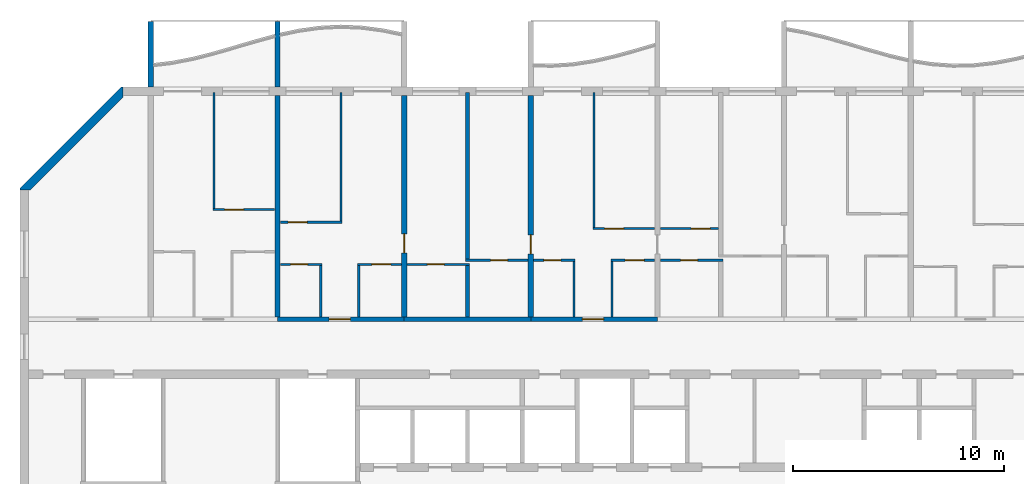
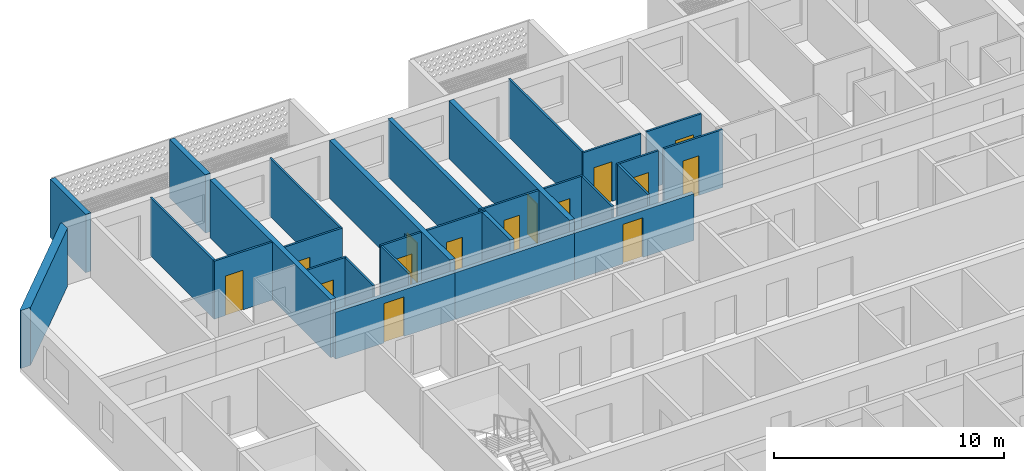
# One storey, part 8 of 28: 29 walls, 15 doors, 15 openings.
"""IFC4 building model written with IfcOpenShell, lengths in metres."""

from ifc_helpers import new_model, si_unit, direction, frame, frame_2d, origin, place, context, subcontext, project, spatial, polyline, rectangle, outline, extrude, source, transform, mapped, material, layer, layer_set, type_object, element, fill, save


model = new_model("IFC4")

# Units and contexts
model_context = context("Model", 3, precision=1e-05, world=origin(), true_north=direction((0.0, 1.0)))
body_context = subcontext(model_context, "Body", "Model", "MODEL_VIEW")
ifc_project = project(units=[si_unit("LENGTHUNIT", "METRE"), si_unit("AREAUNIT", "SQUARE_METRE"), si_unit("VOLUMEUNIT", "CUBIC_METRE"), si_unit("PLANEANGLEUNIT", "RADIAN"), si_unit("MASSUNIT", "GRAM", prefix="KILO")], contexts=[model_context])

# Site, building, storey
site_placement = place(None, origin())
site = spatial("IfcSite", under=ifc_project, at=site_placement, CompositionType="ELEMENT")
building_placement = place(site_placement, origin())
building = spatial("IfcBuilding", under=site, at=building_placement, Name="Poui Terraces", CompositionType="ELEMENT")
storey_placement = place(building_placement, frame((0.0, 0.0, 185.10009765625)))
storey = spatial("IfcBuildingStorey", under=building, at=storey_placement, Name="L51", CompositionType="ELEMENT", Elevation=185.10009765625)

# Wall, opening, door
ifc_material_1 = material(Name="Concrete 50 MPa", Category="concrete")
ifc_layer_1 = layer(ifc_material_1, 0.199951171875)
ifc_layer_set_1 = layer_set([ifc_layer_1], Name="Concrete 50 MPa")
wall_type_1 = type_object("IfcWallType", Name="CORRIDOR WALL 200 50MPa", PredefinedType="SHEAR", material=ifc_layer_set_1)
wall_1_placement = place(storey_placement, frame((30.0, 30.39990234375, 0.0), z_axis=(0.0, 0.0, 1.0), x_axis=(1.0, 0.0, 0.0)))
wall_1 = element("IfcWall", 1, at=wall_1_placement, inside=storey, type_object=wall_type_1, Name="CORRIDOR WALL LINE E BAY 3", PredefinedType="SHEAR", context=body_context, shape_type="SweptSolid", body=[
    extrude(rectangle(XDim=6.0, YDim=0.199951171875, at=frame_2d((3.0, 0.0))), origin(), (0.0, 0.0, 1.0), 2.47998046875),
])
opening_1_placement = place(wall_1_placement, frame((2.449951171875, 0.0, 0.0)))
opening_1 = element("IfcOpeningElement", 2, at=opening_1_placement, cuts=wall_1, Name="Opening FD30S", PredefinedType="OPENING", context=body_context, shape_type="SweptSolid", body=[
    extrude(rectangle(XDim=1.0, YDim=2.10009765625, at=frame_2d((0.5, 1.050048828125))), frame((0.0, 0.10986328125, 0.0), z_axis=(0.0, -1.0, 0.0), x_axis=(1.0, 0.0, 0.0)), (0.0, 0.0, 1.0), 0.219970703125),
])
ifc_material_2 = material(Name="Steel fire door", Category="steel")
door_type_1 = type_object("IfcDoorType", Name="FLAT ENTRANCE DOOR 1000 X 2100", OperationType="NOTDEFINED", PredefinedType="DOOR", material=ifc_material_2)
door_1_placement = place(opening_1_placement, origin())
door_1 = element("IfcDoor", 3, at=door_1_placement, inside=storey, type_object=door_type_1, Name="FLAT ENTRANCE DOOR 034", OperationType="SINGLE_SWING_LEFT", OverallHeight=2.10009765625, OverallWidth=1.0, PredefinedType="DOOR", context=body_context, shape_type="SweptSolid", body=[
    extrude(rectangle(XDim=1.0, YDim=2.10009765625, at=frame_2d((0.5, 1.050048828125))), frame((0.0, 0.02490234375, 0.0), z_axis=(0.0, -1.0, 0.0), x_axis=(1.0, 0.0, 0.0)), (0.0, 0.0, 1.0), 0.050048828125),
])
fill(opening_1, door_1)

# Wall
wall_2_placement = place(storey_placement, frame((36.0, 30.39990234375, 0.0), z_axis=(0.0, 0.0, 1.0), x_axis=(1.0, 0.0, 0.0)))
element("IfcWall", 4, at=wall_2_placement, inside=storey, type_object=wall_type_1, Name="CORRIDOR WALL LINE E BAY 4", PredefinedType="SHEAR", context=body_context, shape_type="SweptSolid", body=[
    extrude(rectangle(XDim=6.0, YDim=0.199951171875, at=frame_2d((3.0, 0.0))), origin(), (0.0, 0.0, 1.0), 2.47998046875),
])

# Wall, opening, door
wall_3_placement = place(storey_placement, frame((42.0, 30.39990234375, 0.0), z_axis=(0.0, 0.0, 1.0), x_axis=(1.0, 0.0, 0.0)))
wall_3 = element("IfcWall", 5, at=wall_3_placement, inside=storey, type_object=wall_type_1, Name="CORRIDOR WALL LINE E BAY 5", PredefinedType="SHEAR", context=body_context, shape_type="SweptSolid", body=[
    extrude(rectangle(XDim=6.0, YDim=0.199951171875, at=frame_2d((3.0, 0.0))), origin(), (0.0, 0.0, 1.0), 2.47998046875),
])
opening_2_placement = place(wall_3_placement, frame((2.449951171875, 0.0, 0.0)))
opening_2 = element("IfcOpeningElement", 6, at=opening_2_placement, cuts=wall_3, Name="Opening FD30S", PredefinedType="OPENING", context=body_context, shape_type="SweptSolid", body=[
    extrude(rectangle(XDim=1.0, YDim=2.10009765625, at=frame_2d((0.5, 1.050048828125))), frame((0.0, 0.10986328125, 0.0), z_axis=(0.0, -1.0, 0.0), x_axis=(1.0, 0.0, 0.0)), (0.0, 0.0, 1.0), 0.219970703125),
])
door_2_placement = place(opening_2_placement, origin())
door_2 = element("IfcDoor", 7, at=door_2_placement, inside=storey, type_object=door_type_1, Name="FLAT ENTRANCE DOOR 042", OperationType="SINGLE_SWING_LEFT", OverallHeight=2.10009765625, OverallWidth=1.0, PredefinedType="DOOR", context=body_context, shape_type="SweptSolid", body=[
    extrude(rectangle(XDim=1.0, YDim=2.10009765625, at=frame_2d((0.5, 1.050048828125))), frame((0.0, 0.02490234375, 0.0), z_axis=(0.0, -1.0, 0.0), x_axis=(1.0, 0.0, 0.0)), (0.0, 0.0, 1.0), 0.050048828125),
])
fill(opening_2, door_2)

# Wall
ifc_layer_2 = layer(ifc_material_1, 0.25)
ifc_layer_set_2 = layer_set([ifc_layer_2], Name="Concrete 50 MPa")
wall_type_2 = type_object("IfcWallType", Name="CROSS WALL 250 50MPa", PredefinedType="SHEAR", material=ifc_layer_set_2)
wall_4_placement = place(storey_placement, frame((30.0, 30.5, 0.0), z_axis=(0.0, 0.0, 1.0), x_axis=(0.0, 1.0, 0.0)))
element("IfcWall", 8, at=wall_4_placement, inside=storey, type_object=wall_type_2, Name="CROSS WALL LINE 6 NORTH", PredefinedType="SHEAR", context=body_context, shape_type="SweptSolid", body=[
    extrude(rectangle(XDim=10.5, YDim=0.25, at=frame_2d((5.25, 0.0))), origin(), (0.0, 0.0, 1.0), 3.079833984375),
])

# Wall, opening, door
wall_5_placement = place(storey_placement, frame((36.0, 30.5, 0.0), z_axis=(0.0, 0.0, 1.0), x_axis=(0.0, 1.0, 0.0)))
wall_5 = element("IfcWall", 9, at=wall_5_placement, inside=storey, type_object=wall_type_2, Name="CROSS WALL LINE 7 NORTH", PredefinedType="SHEAR", context=body_context, shape_type="SweptSolid", body=[
    extrude(rectangle(XDim=10.5, YDim=0.25, at=frame_2d((5.25, 0.0))), origin(), (0.0, 0.0, 1.0), 3.079833984375),
])
opening_3_placement = place(wall_5_placement, frame((3.050048828125, 0.0, 0.0)))
opening_3 = element("IfcOpeningElement", 10, at=opening_3_placement, cuts=wall_5, Name="Opening D90", PredefinedType="OPENING", context=body_context, shape_type="SweptSolid", body=[
    extrude(rectangle(XDim=0.89990234375, YDim=2.10009765625, at=frame_2d((0.449951171875, 1.050048828125))), frame((0.0, 0.135009765625, 0.0), z_axis=(0.0, -1.0, 0.0), x_axis=(1.0, 0.0, 0.0)), (0.0, 0.0, 1.0), 0.27001953125),
])
ifc_material_3 = material(Name="Solid core timber door", Category="wood")
door_type_2 = type_object("IfcDoorType", Name="INTERNAL DOOR 900 X 2100", OperationType="NOTDEFINED", PredefinedType="DOOR", material=ifc_material_3)
door_3_placement = place(opening_3_placement, frame((0.89990234375, 0.0, 0.0), z_axis=(0.0, 0.0, 1.0), x_axis=(-1.0, 0.0, 0.0)))
door_3 = element("IfcDoor", 11, at=door_3_placement, inside=storey, type_object=door_type_2, Name="INTERNAL DOOR 036", OperationType="SINGLE_SWING_RIGHT", OverallHeight=2.10009765625, OverallWidth=0.89990234375, PredefinedType="DOOR", context=body_context, shape_type="SweptSolid", body=[
    extrude(rectangle(XDim=0.89990234375, YDim=2.10009765625, at=frame_2d((0.449951171875, 1.050048828125))), frame((0.0, 0.02490234375, 0.0), z_axis=(0.0, -1.0, 0.0), x_axis=(1.0, 0.0, 0.0)), (0.0, 0.0, 1.0), 0.050048828125),
])
fill(opening_3, door_3)

wall_6_placement = place(storey_placement, frame((42.0, 30.5, 0.0), z_axis=(0.0, 0.0, 1.0), x_axis=(0.0, 1.0, 0.0)))
wall_6 = element("IfcWall", 12, at=wall_6_placement, inside=storey, type_object=wall_type_2, Name="CROSS WALL LINE 8 NORTH", PredefinedType="SHEAR", context=body_context, shape_type="SweptSolid", body=[
    extrude(rectangle(XDim=10.5, YDim=0.25, at=frame_2d((5.25, 0.0))), origin(), (0.0, 0.0, 1.0), 3.079833984375),
])
opening_4_placement = place(wall_6_placement, frame((3.0, 0.0, 0.0)))
opening_4 = element("IfcOpeningElement", 13, at=opening_4_placement, cuts=wall_6, Name="Opening D90", PredefinedType="OPENING", context=body_context, shape_type="SweptSolid", body=[
    extrude(rectangle(XDim=0.89990234375, YDim=2.10009765625, at=frame_2d((0.449951171875, 1.050048828125))), frame((0.0, 0.135009765625, 0.0), z_axis=(0.0, -1.0, 0.0), x_axis=(1.0, 0.0, 0.0)), (0.0, 0.0, 1.0), 0.27001953125),
])
door_4_placement = place(opening_4_placement, origin())
door_4 = element("IfcDoor", 14, at=door_4_placement, inside=storey, type_object=door_type_2, Name="INTERNAL DOOR 040", OperationType="SINGLE_SWING_LEFT", OverallHeight=2.10009765625, OverallWidth=0.89990234375, PredefinedType="DOOR", context=body_context, shape_type="SweptSolid", body=[
    extrude(rectangle(XDim=0.89990234375, YDim=2.10009765625, at=frame_2d((0.449951171875, 1.050048828125))), frame((0.0, 0.02490234375, 0.0), z_axis=(0.0, -1.0, 0.0), x_axis=(1.0, 0.0, 0.0)), (0.0, 0.0, 1.0), 0.050048828125),
])
fill(opening_4, door_4)

ifc_material_4 = material(Name="Plasterboard partition")
ifc_layer_3 = layer(ifc_material_4, 0.10009765625)
ifc_layer_set_3 = layer_set([ifc_layer_3], Name="Plasterboard partition")
wall_type_3 = type_object("IfcWallType", Name="FLAT PARTITION 100", PredefinedType="PARTITIONING", material=ifc_layer_set_3)
wall_7_placement = place(storey_placement, frame((30.135009765625, 33.0, 0.0), z_axis=(0.0, 0.0, 1.0), x_axis=(1.0, 0.0, 0.0)))
wall_7 = element("IfcWall", 15, at=wall_7_placement, inside=storey, type_object=wall_type_3, Name="FLAT PARTITION 100", PredefinedType="PARTITIONING", context=body_context, shape_type="SweptSolid", body=[
    extrude(rectangle(XDim=1.965087890625, YDim=0.10009765625, at=frame_2d((0.982421875, 0.0))), origin(), (0.0, 0.0, 1.0), 3.079833984375),
])
opening_5_placement = place(wall_7_placement, frame((0.489990234375, 0.0, 0.0)))
opening_5 = element("IfcOpeningElement", 16, at=opening_5_placement, cuts=wall_7, Name="Opening D80", PredefinedType="OPENING", context=body_context, shape_type="SweptSolid", body=[
    extrude(rectangle(XDim=0.800048828125, YDim=2.10009765625, at=frame_2d((0.39990234375, 1.050048828125))), frame((0.0, 0.06005859375, 0.0), z_axis=(0.0, -1.0, 0.0), x_axis=(1.0, 0.0, 0.0)), (0.0, 0.0, 1.0), 0.1201171875),
])
door_type_3 = type_object("IfcDoorType", Name="BATHROOM, LAUNDRY AND STORE DOOR 800 X 2100", OperationType="NOTDEFINED", PredefinedType="DOOR", material=ifc_material_3)
door_5_placement = place(opening_5_placement, frame((0.800048828125, 0.0, 0.0), z_axis=(0.0, 0.0, 1.0), x_axis=(-1.0, 0.0, 0.0)))
door_5 = element("IfcDoor", 17, at=door_5_placement, inside=storey, type_object=door_type_3, Name="BATHROOM, LAUNDRY AND STORE DOOR 033", OperationType="SINGLE_SWING_RIGHT", OverallHeight=2.10009765625, OverallWidth=0.800048828125, PredefinedType="DOOR", context=body_context, shape_type="SweptSolid", body=[
    extrude(rectangle(XDim=0.800048828125, YDim=2.10009765625, at=frame_2d((0.39990234375, 1.050048828125))), frame((0.0, 0.02490234375, 0.0), z_axis=(0.0, -1.0, 0.0), x_axis=(1.0, 0.0, 0.0)), (0.0, 0.0, 1.0), 0.050048828125),
])
fill(opening_5, door_5)

wall_8_placement = place(storey_placement, frame((33.800048828125, 33.0, 0.0), z_axis=(0.0, 0.0, 1.0), x_axis=(1.0, 0.0, 0.0)))
wall_8 = element("IfcWall", 18, at=wall_8_placement, inside=storey, type_object=wall_type_3, Name="FLAT PARTITION 100", PredefinedType="PARTITIONING", context=body_context, shape_type="SweptSolid", body=[
    extrude(rectangle(XDim=2.06494140625, YDim=0.10009765625, at=frame_2d((1.032470703125, 0.0))), origin(), (0.0, 0.0, 1.0), 3.079833984375),
])
opening_6_placement = place(wall_8_placement, frame((0.675048828125, 0.0, 0.0)))
opening_6 = element("IfcOpeningElement", 19, at=opening_6_placement, cuts=wall_8, Name="Opening D90", PredefinedType="OPENING", context=body_context, shape_type="SweptSolid", body=[
    extrude(rectangle(XDim=0.89990234375, YDim=2.10009765625, at=frame_2d((0.449951171875, 1.050048828125))), frame((0.0, 0.06005859375, 0.0), z_axis=(0.0, -1.0, 0.0), x_axis=(1.0, 0.0, 0.0)), (0.0, 0.0, 1.0), 0.1201171875),
])
door_6_placement = place(opening_6_placement, frame((0.89990234375, 0.0, 0.0), z_axis=(0.0, 0.0, 1.0), x_axis=(-1.0, 0.0, 0.0)))
door_6 = element("IfcDoor", 20, at=door_6_placement, inside=storey, type_object=door_type_2, Name="INTERNAL DOOR 035", OperationType="SINGLE_SWING_LEFT", OverallHeight=2.10009765625, OverallWidth=0.89990234375, PredefinedType="DOOR", context=body_context, shape_type="SweptSolid", body=[
    extrude(rectangle(XDim=0.89990234375, YDim=2.10009765625, at=frame_2d((0.449951171875, 1.050048828125))), frame((0.0, 0.02490234375, 0.0), z_axis=(0.0, -1.0, 0.0), x_axis=(1.0, 0.0, 0.0)), (0.0, 0.0, 1.0), 0.050048828125),
])
fill(opening_6, door_6)

wall_9_placement = place(storey_placement, frame((36.135009765625, 33.0, 0.0), z_axis=(0.0, 0.0, 1.0), x_axis=(1.0, 0.0, 0.0)))
wall_9 = element("IfcWall", 21, at=wall_9_placement, inside=storey, type_object=wall_type_3, Name="FLAT PARTITION 100", PredefinedType="PARTITIONING", context=body_context, shape_type="SweptSolid", body=[
    extrude(rectangle(XDim=2.965087890625, YDim=0.10009765625, at=frame_2d((1.482421875, 0.0))), origin(), (0.0, 0.0, 1.0), 3.079833984375),
])
opening_7_placement = place(wall_9_placement, frame((0.965087890625, 0.0, 0.0)))
opening_7 = element("IfcOpeningElement", 22, at=opening_7_placement, cuts=wall_9, Name="Opening D80", PredefinedType="OPENING", context=body_context, shape_type="SweptSolid", body=[
    extrude(rectangle(XDim=0.800048828125, YDim=2.10009765625, at=frame_2d((0.39990234375, 1.050048828125))), frame((0.0, 0.06005859375, 0.0), z_axis=(0.0, -1.0, 0.0), x_axis=(1.0, 0.0, 0.0)), (0.0, 0.0, 1.0), 0.1201171875),
])
door_7_placement = place(opening_7_placement, frame((0.800048828125, 0.0, 0.0), z_axis=(0.0, 0.0, 1.0), x_axis=(-1.0, 0.0, 0.0)))
door_7 = element("IfcDoor", 23, at=door_7_placement, inside=storey, type_object=door_type_3, Name="BATHROOM, LAUNDRY AND STORE DOOR 031", OperationType="SINGLE_SWING_RIGHT", OverallHeight=2.10009765625, OverallWidth=0.800048828125, PredefinedType="DOOR", context=body_context, shape_type="SweptSolid", body=[
    extrude(rectangle(XDim=0.800048828125, YDim=2.10009765625, at=frame_2d((0.39990234375, 1.050048828125))), frame((0.0, 0.02490234375, 0.0), z_axis=(0.0, -1.0, 0.0), x_axis=(1.0, 0.0, 0.0)), (0.0, 0.0, 1.0), 0.050048828125),
])
fill(opening_7, door_7)

wall_10_placement = place(storey_placement, frame((38.89990234375, 33.199951171875, 0.0), z_axis=(0.0, 0.0, 1.0), x_axis=(1.0, 0.0, 0.0)))
wall_10 = element("IfcWall", 24, at=wall_10_placement, inside=storey, type_object=wall_type_3, Name="FLAT PARTITION 100", PredefinedType="PARTITIONING", context=body_context, shape_type="SweptSolid", body=[
    extrude(rectangle(XDim=2.965087890625, YDim=0.10009765625, at=frame_2d((1.482421875, 0.0))), origin(), (0.0, 0.0, 1.0), 3.079833984375),
])
opening_8_placement = place(wall_10_placement, frame((1.199951171875, 0.0, 0.0)))
opening_8 = element("IfcOpeningElement", 25, at=opening_8_placement, cuts=wall_10, Name="Opening D80", PredefinedType="OPENING", context=body_context, shape_type="SweptSolid", body=[
    extrude(rectangle(XDim=0.800048828125, YDim=2.10009765625, at=frame_2d((0.39990234375, 1.050048828125))), frame((0.0, 0.06005859375, 0.0), z_axis=(0.0, -1.0, 0.0), x_axis=(1.0, 0.0, 0.0)), (0.0, 0.0, 1.0), 0.1201171875),
])
door_8_placement = place(opening_8_placement, frame((0.800048828125, 0.0, 0.0), z_axis=(0.0, 0.0, 1.0), x_axis=(-1.0, 0.0, 0.0)))
door_8 = element("IfcDoor", 26, at=door_8_placement, inside=storey, type_object=door_type_3, Name="BATHROOM, LAUNDRY AND STORE DOOR 037", OperationType="SINGLE_SWING_LEFT", OverallHeight=2.10009765625, OverallWidth=0.800048828125, PredefinedType="DOOR", context=body_context, shape_type="SweptSolid", body=[
    extrude(rectangle(XDim=0.800048828125, YDim=2.10009765625, at=frame_2d((0.39990234375, 1.050048828125))), frame((0.0, 0.02490234375, 0.0), z_axis=(0.0, -1.0, 0.0), x_axis=(1.0, 0.0, 0.0)), (0.0, 0.0, 1.0), 0.050048828125),
])
fill(opening_8, door_8)

wall_11_placement = place(storey_placement, frame((42.135009765625, 33.199951171875, 0.0), z_axis=(0.0, 0.0, 1.0), x_axis=(1.0, 0.0, 0.0)))
wall_11 = element("IfcWall", 27, at=wall_11_placement, inside=storey, type_object=wall_type_3, Name="FLAT PARTITION 100", PredefinedType="PARTITIONING", context=body_context, shape_type="SweptSolid", body=[
    extrude(rectangle(XDim=1.965087890625, YDim=0.10009765625, at=frame_2d((0.982421875, 0.0))), origin(), (0.0, 0.0, 1.0), 3.079833984375),
])
opening_9_placement = place(wall_11_placement, frame((0.489990234375, 0.0, 0.0)))
opening_9 = element("IfcOpeningElement", 28, at=opening_9_placement, cuts=wall_11, Name="Opening D80", PredefinedType="OPENING", context=body_context, shape_type="SweptSolid", body=[
    extrude(rectangle(XDim=0.800048828125, YDim=2.10009765625, at=frame_2d((0.39990234375, 1.050048828125))), frame((0.0, 0.06005859375, 0.0), z_axis=(0.0, -1.0, 0.0), x_axis=(1.0, 0.0, 0.0)), (0.0, 0.0, 1.0), 0.1201171875),
])
door_9_placement = place(opening_9_placement, frame((0.800048828125, 0.0, 0.0), z_axis=(0.0, 0.0, 1.0), x_axis=(-1.0, 0.0, 0.0)))
door_9 = element("IfcDoor", 29, at=door_9_placement, inside=storey, type_object=door_type_3, Name="BATHROOM, LAUNDRY AND STORE DOOR 041", OperationType="SINGLE_SWING_LEFT", OverallHeight=2.10009765625, OverallWidth=0.800048828125, PredefinedType="DOOR", context=body_context, shape_type="SweptSolid", body=[
    extrude(rectangle(XDim=0.800048828125, YDim=2.10009765625, at=frame_2d((0.39990234375, 1.050048828125))), frame((0.0, 0.02490234375, 0.0), z_axis=(0.0, -1.0, 0.0), x_axis=(1.0, 0.0, 0.0)), (0.0, 0.0, 1.0), 0.050048828125),
])
fill(opening_9, door_9)

wall_12_placement = place(storey_placement, frame((45.800048828125, 33.199951171875, 0.0), z_axis=(0.0, 0.0, 1.0), x_axis=(1.0, 0.0, 0.0)))
wall_12 = element("IfcWall", 30, at=wall_12_placement, inside=storey, type_object=wall_type_3, Name="FLAT PARTITION 100", PredefinedType="PARTITIONING", context=body_context, shape_type="SweptSolid", body=[
    extrude(rectangle(XDim=2.06494140625, YDim=0.10009765625, at=frame_2d((1.032470703125, 0.0))), origin(), (0.0, 0.0, 1.0), 3.079833984375),
])
opening_10_placement = place(wall_12_placement, frame((0.675048828125, 0.0, 0.0)))
opening_10 = element("IfcOpeningElement", 31, at=opening_10_placement, cuts=wall_12, Name="Opening D90", PredefinedType="OPENING", context=body_context, shape_type="SweptSolid", body=[
    extrude(rectangle(XDim=0.89990234375, YDim=2.10009765625, at=frame_2d((0.449951171875, 1.050048828125))), frame((0.0, 0.06005859375, 0.0), z_axis=(0.0, -1.0, 0.0), x_axis=(1.0, 0.0, 0.0)), (0.0, 0.0, 1.0), 0.1201171875),
])
door_10_placement = place(opening_10_placement, frame((0.89990234375, 0.0, 0.0), z_axis=(0.0, 0.0, 1.0), x_axis=(-1.0, 0.0, 0.0)))
door_10 = element("IfcDoor", 32, at=door_10_placement, inside=storey, type_object=door_type_2, Name="INTERNAL DOOR 044", OperationType="SINGLE_SWING_RIGHT", OverallHeight=2.10009765625, OverallWidth=0.89990234375, PredefinedType="DOOR", context=body_context, shape_type="SweptSolid", body=[
    extrude(rectangle(XDim=0.89990234375, YDim=2.10009765625, at=frame_2d((0.449951171875, 1.050048828125))), frame((0.0, 0.02490234375, 0.0), z_axis=(0.0, -1.0, 0.0), x_axis=(1.0, 0.0, 0.0)), (0.0, 0.0, 1.0), 0.050048828125),
])
fill(opening_10, door_10)

wall_13_placement = place(storey_placement, frame((48.135009765625, 33.199951171875, 0.0), z_axis=(0.0, 0.0, 1.0), x_axis=(1.0, 0.0, 0.0)))
wall_13 = element("IfcWall", 33, at=wall_13_placement, inside=storey, type_object=wall_type_3, Name="FLAT PARTITION 100", PredefinedType="PARTITIONING", context=body_context, shape_type="SweptSolid", body=[
    extrude(rectangle(XDim=2.965087890625, YDim=0.10009765625, at=frame_2d((1.482421875, 0.0))), origin(), (0.0, 0.0, 1.0), 3.079833984375),
])
opening_11_placement = place(wall_13_placement, frame((0.965087890625, 0.0, 0.0)))
opening_11 = element("IfcOpeningElement", 34, at=opening_11_placement, cuts=wall_13, Name="Opening D80", PredefinedType="OPENING", context=body_context, shape_type="SweptSolid", body=[
    extrude(rectangle(XDim=0.800048828125, YDim=2.10009765625, at=frame_2d((0.39990234375, 1.050048828125))), frame((0.0, 0.06005859375, 0.0), z_axis=(0.0, -1.0, 0.0), x_axis=(1.0, 0.0, 0.0)), (0.0, 0.0, 1.0), 0.1201171875),
])
door_11_placement = place(opening_11_placement, frame((0.800048828125, 0.0, 0.0), z_axis=(0.0, 0.0, 1.0), x_axis=(-1.0, 0.0, 0.0)))
door_11 = element("IfcDoor", 35, at=door_11_placement, inside=storey, type_object=door_type_3, Name="BATHROOM, LAUNDRY AND STORE DOOR 038", OperationType="SINGLE_SWING_RIGHT", OverallHeight=2.10009765625, OverallWidth=0.800048828125, PredefinedType="DOOR", context=body_context, shape_type="SweptSolid", body=[
    extrude(rectangle(XDim=0.800048828125, YDim=2.10009765625, at=frame_2d((0.39990234375, 1.050048828125))), frame((0.0, 0.02490234375, 0.0), z_axis=(0.0, -1.0, 0.0), x_axis=(1.0, 0.0, 0.0)), (0.0, 0.0, 1.0), 0.050048828125),
])
fill(opening_11, door_11)

wall_14_placement = place(storey_placement, frame((44.949951171875, 34.699951171875, 0.0), z_axis=(0.0, 0.0, 1.0), x_axis=(1.0, 0.0, 0.0)))
wall_14 = element("IfcWall", 36, at=wall_14_placement, inside=storey, type_object=wall_type_3, Name="FLAT PARTITION 100", PredefinedType="PARTITIONING", context=body_context, shape_type="SweptSolid", body=[
    extrude(rectangle(XDim=2.9150390625, YDim=0.10009765625, at=frame_2d((1.45751953125, 0.0))), origin(), (0.0, 0.0, 1.0), 3.079833984375),
])
opening_12_placement = place(wall_14_placement, frame((0.550048828125, 0.0, 0.0)))
opening_12 = element("IfcOpeningElement", 37, at=opening_12_placement, cuts=wall_14, Name="Opening D90", PredefinedType="OPENING", context=body_context, shape_type="SweptSolid", body=[
    extrude(rectangle(XDim=0.89990234375, YDim=2.10009765625, at=frame_2d((0.449951171875, 1.050048828125))), frame((0.0, 0.06005859375, 0.0), z_axis=(0.0, -1.0, 0.0), x_axis=(1.0, 0.0, 0.0)), (0.0, 0.0, 1.0), 0.1201171875),
])
door_12_placement = place(opening_12_placement, frame((0.89990234375, 0.0, 0.0), z_axis=(0.0, 0.0, 1.0), x_axis=(-1.0, 0.0, 0.0)))
door_12 = element("IfcDoor", 38, at=door_12_placement, inside=storey, type_object=door_type_2, Name="INTERNAL DOOR 043", OperationType="SINGLE_SWING_LEFT", OverallHeight=2.10009765625, OverallWidth=0.89990234375, PredefinedType="DOOR", context=body_context, shape_type="SweptSolid", body=[
    extrude(rectangle(XDim=0.89990234375, YDim=2.10009765625, at=frame_2d((0.449951171875, 1.050048828125))), frame((0.0, 0.02490234375, 0.0), z_axis=(0.0, -1.0, 0.0), x_axis=(1.0, 0.0, 0.0)), (0.0, 0.0, 1.0), 0.050048828125),
])
fill(opening_12, door_12)

wall_15_placement = place(storey_placement, frame((48.135009765625, 34.699951171875, 0.0), z_axis=(0.0, 0.0, 1.0), x_axis=(1.0, 0.0, 0.0)))
wall_15 = element("IfcWall", 39, at=wall_15_placement, inside=storey, type_object=wall_type_3, Name="FLAT PARTITION 100", PredefinedType="PARTITIONING", context=body_context, shape_type="SweptSolid", body=[
    extrude(rectangle(XDim=2.764892578125, YDim=0.10009765625, at=frame_2d((1.38232421875, 0.0))), origin(), (0.0, 0.0, 1.0), 3.079833984375),
])
opening_13_placement = place(wall_15_placement, frame((1.465087890625, 0.0, 0.0)))
opening_13 = element("IfcOpeningElement", 40, at=opening_13_placement, cuts=wall_15, Name="Opening D90", PredefinedType="OPENING", context=body_context, shape_type="SweptSolid", body=[
    extrude(rectangle(XDim=0.89990234375, YDim=2.10009765625, at=frame_2d((0.449951171875, 1.050048828125))), frame((0.0, 0.06005859375, 0.0), z_axis=(0.0, -1.0, 0.0), x_axis=(1.0, 0.0, 0.0)), (0.0, 0.0, 1.0), 0.1201171875),
])
door_13_placement = place(opening_13_placement, origin())
door_13 = element("IfcDoor", 41, at=door_13_placement, inside=storey, type_object=door_type_2, Name="INTERNAL DOOR 039", OperationType="SINGLE_SWING_RIGHT", OverallHeight=2.10009765625, OverallWidth=0.89990234375, PredefinedType="DOOR", context=body_context, shape_type="SweptSolid", body=[
    extrude(rectangle(XDim=0.89990234375, YDim=2.10009765625, at=frame_2d((0.449951171875, 1.050048828125))), frame((0.0, 0.02490234375, 0.0), z_axis=(0.0, -1.0, 0.0), x_axis=(1.0, 0.0, 0.0)), (0.0, 0.0, 1.0), 0.050048828125),
])
fill(opening_13, door_13)

wall_16_placement = place(storey_placement, frame((30.135009765625, 35.0, 0.0), z_axis=(0.0, 0.0, 1.0), x_axis=(1.0, 0.0, 0.0)))
wall_16 = element("IfcWall", 42, at=wall_16_placement, inside=storey, type_object=wall_type_3, Name="FLAT PARTITION 100", PredefinedType="PARTITIONING", context=body_context, shape_type="SweptSolid", body=[
    extrude(rectangle(XDim=2.9150390625, YDim=0.10009765625, at=frame_2d((1.45751953125, 0.0))), origin(), (0.0, 0.0, 1.0), 3.079833984375),
])
opening_14_placement = place(wall_16_placement, frame((0.364990234375, 0.0, 0.0)))
opening_14 = element("IfcOpeningElement", 43, at=opening_14_placement, cuts=wall_16, Name="Opening D90", PredefinedType="OPENING", context=body_context, shape_type="SweptSolid", body=[
    extrude(rectangle(XDim=0.89990234375, YDim=2.10009765625, at=frame_2d((0.449951171875, 1.050048828125))), frame((0.0, 0.06005859375, 0.0), z_axis=(0.0, -1.0, 0.0), x_axis=(1.0, 0.0, 0.0)), (0.0, 0.0, 1.0), 0.1201171875),
])
door_14_placement = place(opening_14_placement, frame((0.89990234375, 0.0, 0.0), z_axis=(0.0, 0.0, 1.0), x_axis=(-1.0, 0.0, 0.0)))
door_14 = element("IfcDoor", 44, at=door_14_placement, inside=storey, type_object=door_type_2, Name="INTERNAL DOOR 032", OperationType="SINGLE_SWING_LEFT", OverallHeight=2.10009765625, OverallWidth=0.89990234375, PredefinedType="DOOR", context=body_context, shape_type="SweptSolid", body=[
    extrude(rectangle(XDim=0.89990234375, YDim=2.10009765625, at=frame_2d((0.449951171875, 1.050048828125))), frame((0.0, 0.02490234375, 0.0), z_axis=(0.0, -1.0, 0.0), x_axis=(1.0, 0.0, 0.0)), (0.0, 0.0, 1.0), 0.050048828125),
])
fill(opening_14, door_14)

wall_17_placement = place(storey_placement, frame((26.949951171875, 35.60009765625, 0.0), z_axis=(0.0, 0.0, 1.0), x_axis=(1.0, 0.0, 0.0)))
wall_17 = element("IfcWall", 45, at=wall_17_placement, inside=storey, type_object=wall_type_3, Name="FLAT PARTITION 100", PredefinedType="PARTITIONING", context=body_context, shape_type="SweptSolid", body=[
    extrude(rectangle(XDim=2.9150390625, YDim=0.10009765625, at=frame_2d((1.45751953125, 0.0))), origin(), (0.0, 0.0, 1.0), 3.079833984375),
])
opening_15_placement = place(wall_17_placement, frame((0.550048828125, 0.0, 0.0)))
opening_15 = element("IfcOpeningElement", 46, at=opening_15_placement, cuts=wall_17, Name="Opening D90", PredefinedType="OPENING", context=body_context, shape_type="SweptSolid", body=[
    extrude(rectangle(XDim=0.89990234375, YDim=2.10009765625, at=frame_2d((0.449951171875, 1.050048828125))), frame((0.0, 0.06005859375, 0.0), z_axis=(0.0, -1.0, 0.0), x_axis=(1.0, 0.0, 0.0)), (0.0, 0.0, 1.0), 0.1201171875),
])
door_15_placement = place(opening_15_placement, frame((0.89990234375, 0.0, 0.0), z_axis=(0.0, 0.0, 1.0), x_axis=(-1.0, 0.0, 0.0)))
door_15 = element("IfcDoor", 47, at=door_15_placement, inside=storey, type_object=door_type_2, Name="INTERNAL DOOR 029", OperationType="SINGLE_SWING_LEFT", OverallHeight=2.10009765625, OverallWidth=0.89990234375, PredefinedType="DOOR", context=body_context, shape_type="SweptSolid", body=[
    extrude(rectangle(XDim=0.89990234375, YDim=2.10009765625, at=frame_2d((0.449951171875, 1.050048828125))), frame((0.0, 0.02490234375, 0.0), z_axis=(0.0, -1.0, 0.0), x_axis=(1.0, 0.0, 0.0)), (0.0, 0.0, 1.0), 0.050048828125),
])
fill(opening_15, door_15)

# Walls
wall_18_placement = place(storey_placement, frame((27.0, 35.64990234375, 0.0), z_axis=(0.0, 0.0, 1.0), x_axis=(0.0, 1.0, 0.0)))
element("IfcWall", 48, at=wall_18_placement, inside=storey, type_object=wall_type_3, Name="FLAT PARTITION 100", PredefinedType="PARTITIONING", context=body_context, shape_type="SweptSolid", body=[
    extrude(rectangle(XDim=5.489990234375, YDim=0.10009765625, at=frame_2d((2.7451171875, 0.0))), origin(), (0.0, 0.0, 1.0), 3.079833984375),
])
wall_19_placement = place(storey_placement, frame((32.050048828125, 30.510009765625, 0.0), z_axis=(0.0, 0.0, 1.0), x_axis=(0.0, 1.0, 0.0)))
element("IfcWall", 49, at=wall_19_placement, inside=storey, type_object=wall_type_3, Name="FLAT PARTITION 100", PredefinedType="PARTITIONING", context=body_context, shape_type="SweptSolid", body=[
    extrude(rectangle(XDim=2.43994140625, YDim=0.10009765625, at=frame_2d((1.219970703125, 0.0))), origin(), (0.0, 0.0, 1.0), 3.079833984375),
])
wall_20_placement = place(storey_placement, frame((33.0, 35.050048828125, 0.0), z_axis=(0.0, 0.0, 1.0), x_axis=(0.0, 1.0, 0.0)))
element("IfcWall", 50, at=wall_20_placement, inside=storey, type_object=wall_type_3, Name="FLAT PARTITION 100", PredefinedType="PARTITIONING", context=body_context, shape_type="SweptSolid", body=[
    extrude(rectangle(XDim=6.08984375, YDim=0.10009765625, at=frame_2d((3.044921875, 0.0))), origin(), (0.0, 0.0, 1.0), 3.079833984375),
])
wall_21_placement = place(storey_placement, frame((33.85009765625, 30.510009765625, 0.0), z_axis=(0.0, 0.0, 1.0), x_axis=(0.0, 1.0, 0.0)))
element("IfcWall", 51, at=wall_21_placement, inside=storey, type_object=wall_type_3, Name="FLAT PARTITION 100", PredefinedType="PARTITIONING", context=body_context, shape_type="SweptSolid", body=[
    extrude(rectangle(XDim=2.43994140625, YDim=0.10009765625, at=frame_2d((1.219970703125, 0.0))), origin(), (0.0, 0.0, 1.0), 3.079833984375),
])
wall_22_placement = place(storey_placement, frame((44.050048828125, 30.510009765625, 0.0), z_axis=(0.0, 0.0, 1.0), x_axis=(0.0, 1.0, 0.0)))
element("IfcWall", 52, at=wall_22_placement, inside=storey, type_object=wall_type_3, Name="FLAT PARTITION 100", PredefinedType="PARTITIONING", context=body_context, shape_type="SweptSolid", body=[
    extrude(rectangle(XDim=2.639892578125, YDim=0.10009765625, at=frame_2d((1.31982421875, 0.0))), origin(), (0.0, 0.0, 1.0), 3.079833984375),
])
wall_23_placement = place(storey_placement, frame((45.0, 34.75, 0.0), z_axis=(0.0, 0.0, 1.0), x_axis=(0.0, 1.0, 0.0)))
element("IfcWall", 53, at=wall_23_placement, inside=storey, type_object=wall_type_3, Name="FLAT PARTITION 100", PredefinedType="PARTITIONING", context=body_context, shape_type="SweptSolid", body=[
    extrude(rectangle(XDim=6.389892578125, YDim=0.10009765625, at=frame_2d((3.19482421875, 0.0))), origin(), (0.0, 0.0, 1.0), 3.079833984375),
])
wall_24_placement = place(storey_placement, frame((45.85009765625, 30.510009765625, 0.0), z_axis=(0.0, 0.0, 1.0), x_axis=(0.0, 1.0, 0.0)))
element("IfcWall", 54, at=wall_24_placement, inside=storey, type_object=wall_type_3, Name="FLAT PARTITION 100", PredefinedType="PARTITIONING", context=body_context, shape_type="SweptSolid", body=[
    extrude(rectangle(XDim=2.639892578125, YDim=0.10009765625, at=frame_2d((1.31982421875, 0.0))), origin(), (0.0, 0.0, 1.0), 3.079833984375),
])
ifc_material_5 = material(Name="Fire-rated masonry wall", Category="masonry")
ifc_layer_4 = layer(ifc_material_5, 0.199951171875)
ifc_layer_set_4 = layer_set([ifc_layer_4], Name="Fire-rated masonry wall")
wall_type_4 = type_object("IfcWallType", Name="FLAT PARTY WALL 200", PredefinedType="PARTITIONING", material=ifc_layer_set_4)
wall_25_placement = place(storey_placement, frame((39.0, 30.510009765625, 0.0), z_axis=(0.0, 0.0, 1.0), x_axis=(0.0, 1.0, 0.0)))
element("IfcWall", 55, at=wall_25_placement, inside=storey, type_object=wall_type_4, Name="FLAT PARTY WALL 200", PredefinedType="PARTITIONING", context=body_context, shape_type="SweptSolid", body=[
    extrude(rectangle(XDim=2.43994140625, YDim=0.199951171875, at=frame_2d((1.219970703125, 0.0))), origin(), (0.0, 0.0, 1.0), 3.079833984375),
])
wall_26_placement = place(storey_placement, frame((39.0, 33.25, 0.0), z_axis=(0.0, 0.0, 1.0), x_axis=(0.0, 1.0, 0.0)))
element("IfcWall", 56, at=wall_26_placement, inside=storey, type_object=wall_type_4, Name="FLAT PARTY WALL 200", PredefinedType="PARTITIONING", context=body_context, shape_type="SweptSolid", body=[
    extrude(rectangle(XDim=7.889892578125, YDim=0.199951171875, at=frame_2d((3.94482421875, 0.0))), origin(), (0.0, 0.0, 1.0), 3.079833984375),
])
ifc_material_6 = material(Name="Precast concrete 40 MPa", Category="concrete")
ifc_layer_5 = layer(ifc_material_6, 0.39990234375)
ifc_layer_set_5 = layer_set([ifc_layer_5], Name="Precast concrete 40 MPa")
wall_type_5 = type_object("IfcWallType", Name="TERRACOTTA CLAD CHAMFER WALL 400", PredefinedType="STANDARD", material=ifc_layer_set_5)
wall_27_placement = place(storey_placement, origin())
element("IfcWall", 57, at=wall_27_placement, inside=storey, type_object=wall_type_5, Name="CHAMFER WALL CH05", PredefinedType="STANDARD", context=body_context, shape_type="SweptSolid", body=[
    extrude(outline(polyline([(22.682861328125, 41.39990234375), (22.60009765625, 41.39990234375), (17.800048828125, 36.60009765625), (17.800048828125, 36.51708984375), (18.28271484375, 36.51708984375), (22.682861328125, 40.917236328125), (22.682861328125, 41.39990234375)])), origin(), (0.0, 0.0, 1.0), 3.079833984375),
])
ifc_layer_6 = layer(ifc_material_6, 0.25)
ifc_layer_set_6 = layer_set([ifc_layer_6], Name="Precast concrete 40 MPa")
wall_type_6 = type_object("IfcWallType", Name="BALCONY FIN 250", PredefinedType="STANDARD", material=ifc_layer_set_6)
shared_shape = source(origin(), body_context, "Body", "SweptSolid", [
    extrude(outline(polyline([(0.0, 0.0), (0.25, 0.0), (0.25, 3.10009765625), (0.0, 3.10009765625), (0.0, 0.0)])), origin(), (0.0, 0.0, 1.0), 3.099853515625),
])
for number, where, name in (
    (58, (23.875, 41.39990234375, 0.0), "BALCONY FIN"),
    (59, (29.875, 41.39990234375, 0.0), "BALCONY FIN"),
):
    element("IfcWall", number, at=place(storey_placement, frame(where)), inside=storey, type_object=wall_type_6, Name=name, PredefinedType="STANDARD", context=body_context, shape_type="MappedRepresentation", body=[
        mapped(shared_shape, transform((0.0, 0.0, 0.0))),
    ])

save(model, "model.ifc")
